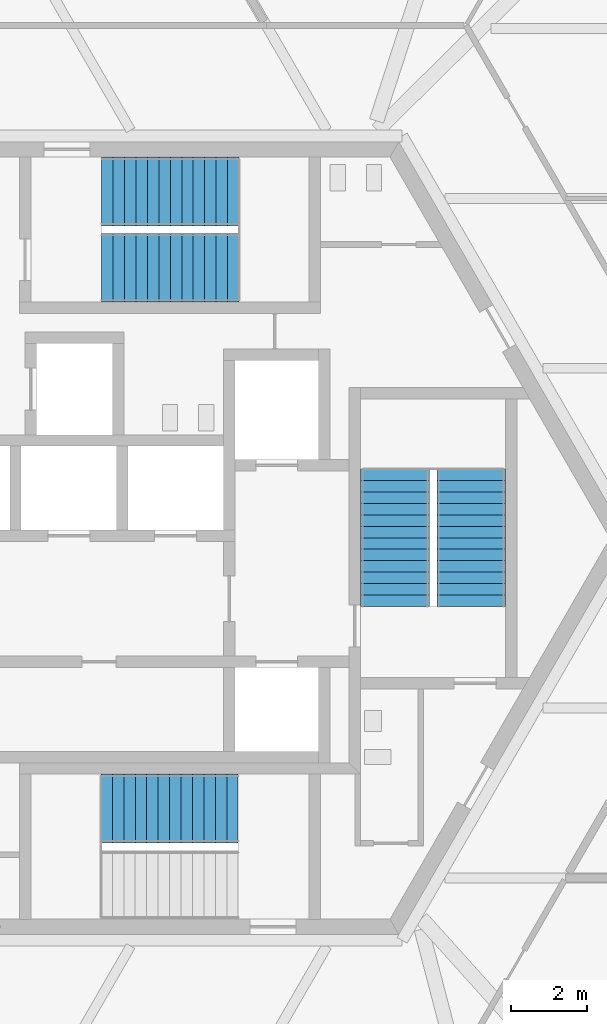
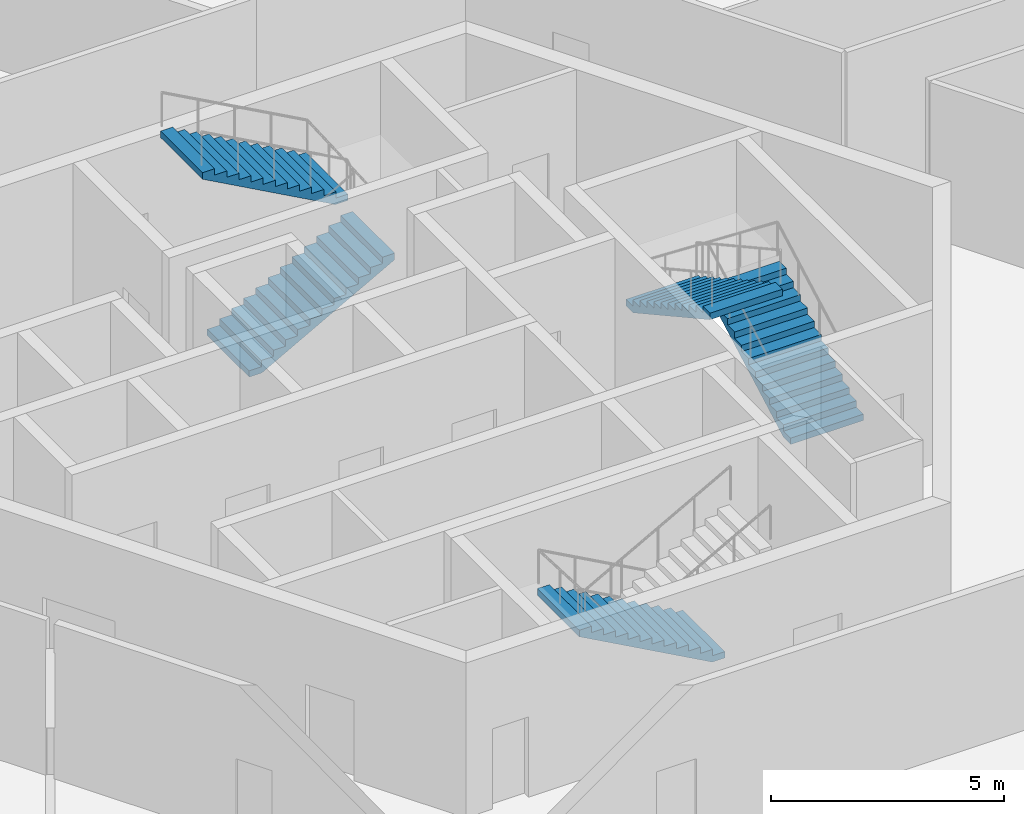
# One storey, part 20 of 22: 5 stair flights, 3 elements without a shape of their own.
"""IFC4 building model written with IfcOpenShell, lengths in metres."""

import ifcopenshell
import ifcopenshell.guid

model = None  # the IFC model being written
_history = None  # IfcOwnerHistory: only IFC2X3 demands one
_inside = {}  # id of a spatial element -> (the spatial element, [elements in it])
_under = {}  # id of a project, library or spatial element -> (it, [spatial elements below it])
_declared = {}  # id of a project -> (the project, [libraries it declares])
_typed = {}  # id of a type object -> (the type object, [elements of that type])
_made_of = {}  # id of a material, layer set ... -> (it, [elements and type objects made of it])


def new_model(schema):
    """Start an empty IFC model of exactly this schema.

    Asked for "IFC4X3", IfcOpenShell would pick the latest addendum, in which some entities
    have other attributes; the version numbers below select the first issue.
    IFC2X3 requires an IfcOwnerHistory on every rooted entity: one is made here for all.
    """
    global model, _history
    if schema == "IFC4X3":
        model = ifcopenshell.file(schema_version=(4, 3, 0, 0))
    else:
        model = ifcopenshell.file(schema=schema)
    _inside.clear()
    _under.clear()
    _declared.clear()
    _typed.clear()
    _made_of.clear()
    _history = None
    if model.schema == "IFC2X3":
        org = make("IfcOrganization", Name="unknown")
        user = make(
            "IfcPersonAndOrganization",
            ThePerson=make("IfcPerson", FamilyName="unknown"),
            TheOrganization=org,
        )
        app = make(
            "IfcApplication",
            ApplicationDeveloper=org,
            Version="unknown",
            ApplicationFullName="unknown",
            ApplicationIdentifier="unknown",
        )
        _history = make(
            "IfcOwnerHistory",
            OwningUser=user,
            OwningApplication=app,
            ChangeAction="ADDED",
            CreationDate=0,
        )
    return model


def make(cls, **values):
    """One entity of the class cls with the attributes given. An attribute that is None is left unset."""
    return model.create_entity(
        cls, **{name: value for name, value in values.items() if value is not None}
    )


def rooted(cls, **values):
    """An entity with a GlobalId (a new one), such as an element, a storey or a relation."""
    return make(cls, GlobalId=ifcopenshell.guid.new(), OwnerHistory=_history, **values)


def si_unit(unit_type, name, prefix=None):
    """IfcSIUnit, for example si_unit("LENGTHUNIT", "METRE", prefix="MILLI")."""
    return make("IfcSIUnit", UnitType=unit_type, Prefix=prefix, Name=name)


def assignment(units):
    """IfcUnitAssignment: the units of a project."""
    return None if units is None else make("IfcUnitAssignment", Units=units)


def point(xyz):
    """IfcCartesianPoint."""
    return None if xyz is None else make("IfcCartesianPoint", Coordinates=xyz)


def direction(xyz):
    """IfcDirection."""
    return None if xyz is None else make("IfcDirection", DirectionRatios=xyz)


def frame(location, z_axis=None, x_axis=None):
    """IfcAxis2Placement3D, a coordinate frame: its origin and axes. An axis left out is left unset."""
    return make(
        "IfcAxis2Placement3D",
        Location=point(location),
        Axis=direction(z_axis),
        RefDirection=direction(x_axis),
    )


def origin():
    """The frame at (0, 0, 0) with its axes left unset."""
    return frame((0.0, 0.0, 0.0))


def place(relative_to, where):
    """IfcLocalPlacement: puts the frame where relative to a parent placement (None: the world)."""
    return make(
        "IfcLocalPlacement", PlacementRelTo=relative_to, RelativePlacement=where
    )


def context(
    kind, dimensions, precision=None, world=None, true_north=None, identifier=None
):
    """IfcGeometricRepresentationContext, for example the 3D "Model" context."""
    return make(
        "IfcGeometricRepresentationContext",
        ContextIdentifier=identifier,
        ContextType=kind,
        CoordinateSpaceDimension=dimensions,
        Precision=precision,
        WorldCoordinateSystem=world,
        TrueNorth=true_north,
    )


def subcontext(parent, identifier, kind, view, scale=None):
    """IfcGeometricRepresentationSubContext, for example "Body" below "Model"."""
    return make(
        "IfcGeometricRepresentationSubContext",
        ContextIdentifier=identifier,
        ContextType=kind,
        ParentContext=parent,
        TargetScale=scale,
        TargetView=view,
    )


def project(units=None, contexts=None):
    """IfcProject with its units and contexts."""
    return rooted(
        "IfcProject",
        Name="project",
        RepresentationContexts=contexts,
        UnitsInContext=assignment(units),
    )


def spatial(cls, under=None, at=None, **own):
    """A site, building, storey or space (cls), placed at a placement, below another one or the project."""
    s = rooted(cls, ObjectPlacement=at, **own)
    if under is not None:
        _under.setdefault(under.id(), (under, []))[1].append(s)
    return s


def polyline(points):
    """IfcPolyline through the points."""
    return make("IfcPolyline", Points=[point(p) for p in points])


def outline(outer, holes=None, kind="AREA"):
    """IfcArbitraryClosedProfileDef: a profile drawn as a closed curve; with holes, ...WithVoids."""
    if holes is None:
        return make("IfcArbitraryClosedProfileDef", ProfileType=kind, OuterCurve=outer)
    return make(
        "IfcArbitraryProfileDefWithVoids",
        ProfileType=kind,
        OuterCurve=outer,
        InnerCurves=holes,
    )


def extrude(swept, where, along, depth):
    """IfcExtrudedAreaSolid: the profile swept, set in the frame where, extruded along a direction by depth."""
    return make(
        "IfcExtrudedAreaSolid",
        SweptArea=swept,
        Position=where,
        ExtrudedDirection=direction(along),
        Depth=depth,
    )


def shape(context_of_items, identifier, shape_type, items):
    """IfcShapeRepresentation: the items that make up one representation, for example the "Body"."""
    return make(
        "IfcShapeRepresentation",
        ContextOfItems=context_of_items,
        RepresentationIdentifier=identifier,
        RepresentationType=shape_type,
        Items=items,
    )


def source(mapping_origin, context_of_items, identifier, shape_type, items):
    """IfcRepresentationMap: a shape defined once, which mapped items show again and again."""
    return make(
        "IfcRepresentationMap",
        MappingOrigin=mapping_origin,
        MappedRepresentation=shape(context_of_items, identifier, shape_type, items),
    )


def transform(
    local_origin,
    x_axis=None,
    y_axis=None,
    z_axis=None,
    scale=None,
    scale2=None,
    scale3=None,
    uniform=True,
):
    """IfcCartesianTransformationOperator3D, or its non-uniform kind. x_axis, y_axis, z_axis: its Axis1, 2, 3."""
    if uniform:
        return make(
            "IfcCartesianTransformationOperator3D",
            Axis1=direction(x_axis),
            Axis2=direction(y_axis),
            LocalOrigin=point(local_origin),
            Scale=scale,
            Axis3=direction(z_axis),
        )
    return make(
        "IfcCartesianTransformationOperator3DnonUniform",
        Axis1=direction(x_axis),
        Axis2=direction(y_axis),
        LocalOrigin=point(local_origin),
        Scale=scale,
        Axis3=direction(z_axis),
        Scale2=scale2,
        Scale3=scale3,
    )


def mapped(mapping_source, mapping_target):
    """IfcMappedItem: shows the shape of a source again, moved by a transform."""
    return make(
        "IfcMappedItem", MappingSource=mapping_source, MappingTarget=mapping_target
    )


def material(Name=None, Category=None):
    """IfcMaterial."""
    return make("IfcMaterial", Name=Name, Category=Category)


def made_of(thing, what):
    """Note that an element or type object is made of a material, layer set ...; save() writes the relation."""
    if what is not None:
        _made_of.setdefault(what.id(), (what, []))[1].append(thing)
    return thing


def type_object(cls, material=None, **own):
    """A type object (cls), such as IfcWallType, which elements share."""
    return made_of(rooted(cls, **own), material)


def element(
    cls,
    number,
    at=None,
    inside=None,
    cuts=None,
    type_object=None,
    material=None,
    context=None,
    identifier="Body",
    shape_type=None,
    held_by="IfcProductDefinitionShape",
    body=None,
    shapes=None,
    **own,
):
    """One element of the class cls, such as IfcWall. Its Tag is "e" and its number.

    at: its placement. inside: the storey or other place that contains it. cuts: it is an
    opening in that element (IfcRelVoidsElement). A single representation is given by context,
    identifier, shape_type and body (its items); several are given by shapes. held_by: the class
    of the entity that holds the representations. save() writes the other relations.
    """
    e = rooted(cls, Tag="e%d" % number, ObjectPlacement=at, **own)
    if body is not None:
        shapes = [shape(context, identifier, shape_type, body)]
    if shapes is not None:
        e.Representation = make(held_by, Representations=shapes)
    if inside is not None:
        _inside.setdefault(inside.id(), (inside, []))[1].append(e)
    if cuts is not None:
        rooted(
            "IfcRelVoidsElement", RelatingBuildingElement=cuts, RelatedOpeningElement=e
        )
    if type_object is not None:
        _typed.setdefault(type_object.id(), (type_object, []))[1].append(e)
    return made_of(e, material)


def aggregate(whole, parts):
    """IfcRelAggregates: a whole, such as a stair, and the parts it consists of."""
    return rooted("IfcRelAggregates", RelatingObject=whole, RelatedObjects=parts)


def save(model, path):
    """Write the relations noted so far, then the file.

    IfcRelAggregates (storeys below a building ...), IfcRelContainedInSpatialStructure (elements
    in a storey), IfcRelDefinesByType, IfcRelAssociatesMaterial and IfcRelDeclares: one each for
    every whole, place, type object, material and project.
    """
    for whole, parts in _under.values():
        aggregate(whole, parts)
    for where, things in _inside.values():
        rooted(
            "IfcRelContainedInSpatialStructure",
            RelatedElements=things,
            RelatingStructure=where,
        )
    for kind, things in _typed.values():
        rooted("IfcRelDefinesByType", RelatedObjects=things, RelatingType=kind)
    for what, things in _made_of.values():
        rooted("IfcRelAssociatesMaterial", RelatedObjects=things, RelatingMaterial=what)
    for by, libraries in _declared.values():
        rooted("IfcRelDeclares", RelatingContext=by, RelatedDefinitions=libraries)
    model.write(path)


model = new_model("IFC4")

# Units and contexts
model_context = context("Model", 3, precision=1e-05, world=origin(), true_north=direction((0.0, 1.0)))
body_context = subcontext(model_context, "Body", "Model", "MODEL_VIEW")
ifc_project = project(units=[si_unit("LENGTHUNIT", "METRE"), si_unit("AREAUNIT", "SQUARE_METRE"), si_unit("VOLUMEUNIT", "CUBIC_METRE"), si_unit("PLANEANGLEUNIT", "RADIAN"), si_unit("MASSUNIT", "GRAM", prefix="KILO")], contexts=[model_context])

# Site, building, storey
site_placement = place(None, origin())
site = spatial("IfcSite", under=ifc_project, at=site_placement, CompositionType="ELEMENT")
building_placement = place(site_placement, origin())
building = spatial("IfcBuilding", under=site, at=building_placement, Name="Triune Harvest Tower", CompositionType="ELEMENT")
storey_placement = place(building_placement, frame((0.0, 0.0, 50.39990234375)))
storey = spatial("IfcBuildingStorey", under=building, at=storey_placement, Name="L11", CompositionType="ELEMENT", Elevation=50.39990234375)

# Stair, stair flights
ifc_material_1 = material(Name="Concrete 40 MPa", Category="concrete")
stair_type = type_object("IfcStairType", Name="Exit stair 1800 half turn", PredefinedType="HALF_TURN_STAIR", material=ifc_material_1)
stair_1_placement = place(storey_placement, origin())
stair_1 = element("IfcStair", 1, at=stair_1_placement, inside=storey, type_object=stair_type, Name="Exit stair north", PredefinedType="HALF_TURN_STAIR")
ifc_material_2 = material(Name="Concrete 40 MPa", Category="concrete")
stair_flight_type = type_object("IfcStairFlightType", Name="Stair flight 1800", PredefinedType="STRAIGHT", material=ifc_material_2)
shared_shape = source(origin(), body_context, "Body", "SweptSolid", [
    extrude(outline(polyline([(0.0, 0.0), (0.0, 0.165283203125), (0.300048828125, 0.165283203125), (0.300048828125, 0.330810546875), (0.60009765625, 0.330810546875), (0.60009765625, 0.49609375), (0.89990234375, 0.49609375), (0.89990234375, 0.66162109375), (1.199951171875, 0.66162109375), (1.199951171875, 0.826904296875), (1.5, 0.826904296875), (1.5, 0.9921875), (1.800048828125, 0.9921875), (1.800048828125, 1.15771484375), (2.10009765625, 1.15771484375), (2.10009765625, 1.322998046875), (2.39990234375, 1.322998046875), (2.39990234375, 1.488525390625), (2.699951171875, 1.488525390625), (2.699951171875, 1.65380859375), (3.0, 1.65380859375), (3.0, 1.819091796875), (3.300048828125, 1.819091796875), (3.300048828125, 1.984619140625), (3.60009765625, 1.984619140625), (3.60009765625, 2.14990234375), (3.60009765625, 1.8134765625), (0.310546875, 0.0), (0.0, 0.0)])), frame((0.0, 0.89990234375, 0.0), z_axis=(0.0, -1.0, 0.0), x_axis=(1.0, 0.0, 0.0)), (0.0, 0.0, 1.0), 1.800048828125),
])
stair_flight_1_placement = place(storey_placement, frame((-1.7900390625, 7.090087890625, 0.0), z_axis=(0.0, 0.0, 1.0), x_axis=(1.0, 0.0, 0.0)))
stair_flight_1 = element("IfcStairFlight", 2, at=stair_flight_1_placement, type_object=stair_flight_type, Name="ST-1 flight 1", NumberOfRisers=13, NumberOfTreads=12, PredefinedType="STRAIGHT", RiserHeight=0.16538, TreadLength=0.3, context=body_context, shape_type="MappedRepresentation", body=[
    mapped(shared_shape, transform((0.0, 0.0, 0.0), scale=1.0)),
])
stair_flight_2_placement = place(storey_placement, frame((1.81005859375, 9.090087890625, 2.150146484375), z_axis=(0.0, 0.0, 1.0), x_axis=(-1.0, 0.0, 0.0)))
stair_flight_2 = element("IfcStairFlight", 3, at=stair_flight_2_placement, type_object=stair_flight_type, Name="ST-1 flight 2", NumberOfRisers=13, NumberOfTreads=12, PredefinedType="STRAIGHT", RiserHeight=0.16538, TreadLength=0.3, context=body_context, shape_type="MappedRepresentation", body=[
    mapped(shared_shape, transform((0.0, 0.0, 0.0), scale=1.0)),
])
aggregate(stair_1, [stair_flight_1, stair_flight_2])

# Stair, stair flight
stair_2_placement = place(storey_placement, origin())
stair_2 = element("IfcStair", 4, at=stair_2_placement, inside=storey, type_object=stair_type, Name="Exit stair south", PredefinedType="HALF_TURN_STAIR")
stair_flight_3_placement = place(storey_placement, frame((1.7900390625, -7.090087890625, 0.0), z_axis=(0.0, 0.0, 1.0), x_axis=(-1.0, 0.0, 0.0)))
stair_flight_3 = element("IfcStairFlight", 5, at=stair_flight_3_placement, type_object=stair_flight_type, Name="ST-2 flight 1", NumberOfRisers=13, NumberOfTreads=12, PredefinedType="STRAIGHT", RiserHeight=0.16538, TreadLength=0.3, context=body_context, shape_type="MappedRepresentation", body=[
    mapped(shared_shape, transform((0.0, 0.0, 0.0), scale=1.0)),
])
aggregate(stair_2, [stair_flight_3])

# Stair, stair flights
stair_3_placement = place(storey_placement, origin())
stair_3 = element("IfcStair", 6, at=stair_3_placement, inside=storey, type_object=stair_type, Name="Exit stair east", PredefinedType="HALF_TURN_STAIR")
stair_flight_4_placement = place(storey_placement, frame((7.89990234375, -1.7900390625, 0.0), z_axis=(0.0, 0.0, 1.0), x_axis=(0.0, 1.0, 0.0)))
stair_flight_4 = element("IfcStairFlight", 7, at=stair_flight_4_placement, type_object=stair_flight_type, Name="ST-3 flight 1", NumberOfRisers=13, NumberOfTreads=12, PredefinedType="STRAIGHT", RiserHeight=0.16538, TreadLength=0.3, context=body_context, shape_type="MappedRepresentation", body=[
    mapped(shared_shape, transform((0.0, 0.0, 0.0), scale=1.0)),
])
stair_flight_5_placement = place(storey_placement, frame((5.89990234375, 1.81005859375, 2.150146484375), z_axis=(0.0, 0.0, 1.0), x_axis=(0.0, -1.0, 0.0)))
stair_flight_5 = element("IfcStairFlight", 8, at=stair_flight_5_placement, type_object=stair_flight_type, Name="ST-3 flight 2", NumberOfRisers=13, NumberOfTreads=12, PredefinedType="STRAIGHT", RiserHeight=0.16538, TreadLength=0.3, context=body_context, shape_type="MappedRepresentation", body=[
    mapped(shared_shape, transform((0.0, 0.0, 0.0), scale=1.0)),
])
aggregate(stair_3, [stair_flight_4, stair_flight_5])

save(model, "model.ifc")
